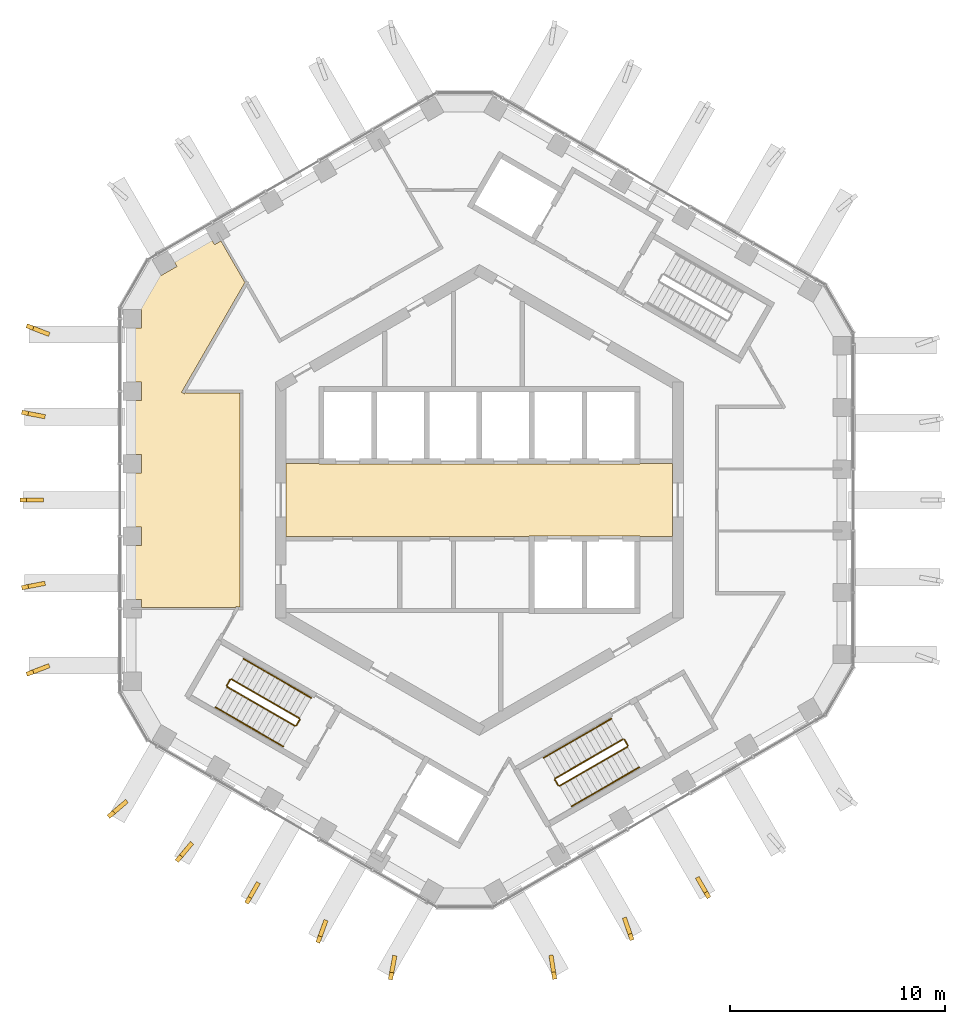
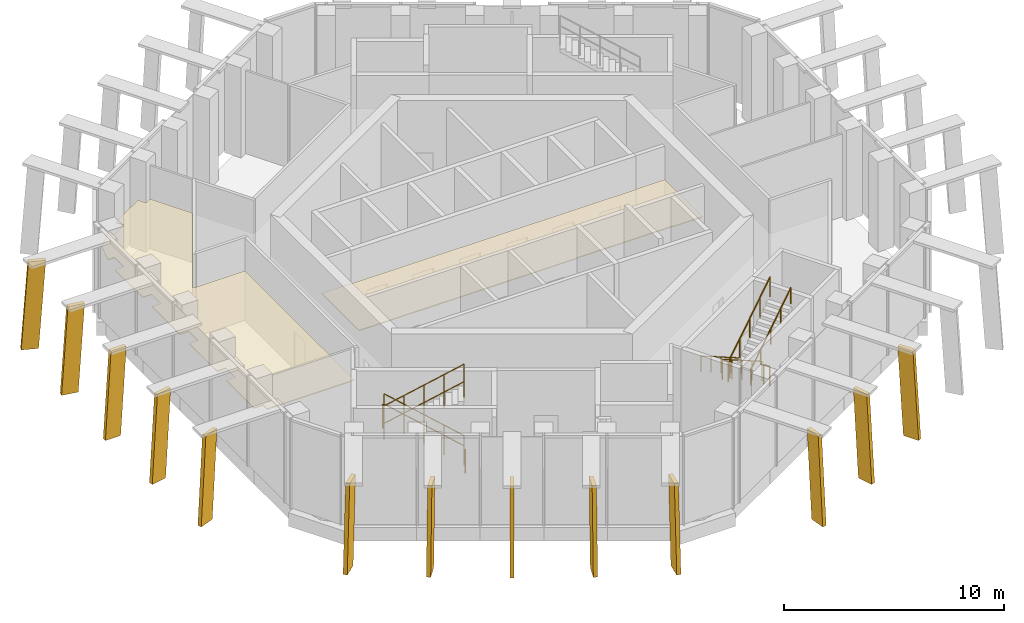
# One storey, part 15 of 17: 16 railings, 13 shading devices, 2 coverings.
"""IFC4 building model written with IfcOpenShell, lengths in metres."""

import ifcopenshell
import ifcopenshell.guid

model = None  # the IFC model being written
_history = None  # IfcOwnerHistory: only IFC2X3 demands one
_inside = {}  # id of a spatial element -> (the spatial element, [elements in it])
_under = {}  # id of a project, library or spatial element -> (it, [spatial elements below it])
_declared = {}  # id of a project -> (the project, [libraries it declares])
_typed = {}  # id of a type object -> (the type object, [elements of that type])
_made_of = {}  # id of a material, layer set ... -> (it, [elements and type objects made of it])


def new_model(schema):
    """Start an empty IFC model of exactly this schema.

    Asked for "IFC4X3", IfcOpenShell would pick the latest addendum, in which some entities
    have other attributes; the version numbers below select the first issue.
    IFC2X3 requires an IfcOwnerHistory on every rooted entity: one is made here for all.
    """
    global model, _history
    if schema == "IFC4X3":
        model = ifcopenshell.file(schema_version=(4, 3, 0, 0))
    else:
        model = ifcopenshell.file(schema=schema)
    _inside.clear()
    _under.clear()
    _declared.clear()
    _typed.clear()
    _made_of.clear()
    _history = None
    if model.schema == "IFC2X3":
        org = make("IfcOrganization", Name="unknown")
        user = make(
            "IfcPersonAndOrganization",
            ThePerson=make("IfcPerson", FamilyName="unknown"),
            TheOrganization=org,
        )
        app = make(
            "IfcApplication",
            ApplicationDeveloper=org,
            Version="unknown",
            ApplicationFullName="unknown",
            ApplicationIdentifier="unknown",
        )
        _history = make(
            "IfcOwnerHistory",
            OwningUser=user,
            OwningApplication=app,
            ChangeAction="ADDED",
            CreationDate=0,
        )
    return model


def make(cls, **values):
    """One entity of the class cls with the attributes given. An attribute that is None is left unset."""
    return model.create_entity(
        cls, **{name: value for name, value in values.items() if value is not None}
    )


def rooted(cls, **values):
    """An entity with a GlobalId (a new one), such as an element, a storey or a relation."""
    return make(cls, GlobalId=ifcopenshell.guid.new(), OwnerHistory=_history, **values)


def si_unit(unit_type, name, prefix=None):
    """IfcSIUnit, for example si_unit("LENGTHUNIT", "METRE", prefix="MILLI")."""
    return make("IfcSIUnit", UnitType=unit_type, Prefix=prefix, Name=name)


def assignment(units):
    """IfcUnitAssignment: the units of a project."""
    return None if units is None else make("IfcUnitAssignment", Units=units)


def point(xyz):
    """IfcCartesianPoint."""
    return None if xyz is None else make("IfcCartesianPoint", Coordinates=xyz)


def direction(xyz):
    """IfcDirection."""
    return None if xyz is None else make("IfcDirection", DirectionRatios=xyz)


def frame(location, z_axis=None, x_axis=None):
    """IfcAxis2Placement3D, a coordinate frame: its origin and axes. An axis left out is left unset."""
    return make(
        "IfcAxis2Placement3D",
        Location=point(location),
        Axis=direction(z_axis),
        RefDirection=direction(x_axis),
    )


def frame_2d(location, x_axis=None):
    """IfcAxis2Placement2D, a coordinate frame in the plane: its origin and x axis."""
    return make(
        "IfcAxis2Placement2D", Location=point(location), RefDirection=direction(x_axis)
    )


def origin():
    """The frame at (0, 0, 0) with its axes left unset."""
    return frame((0.0, 0.0, 0.0))


def origin_2d():
    """The frame at (0, 0) in the plane with its x axis left unset."""
    return frame_2d((0.0, 0.0))


def place(relative_to, where):
    """IfcLocalPlacement: puts the frame where relative to a parent placement (None: the world)."""
    return make(
        "IfcLocalPlacement", PlacementRelTo=relative_to, RelativePlacement=where
    )


def context(
    kind, dimensions, precision=None, world=None, true_north=None, identifier=None
):
    """IfcGeometricRepresentationContext, for example the 3D "Model" context."""
    return make(
        "IfcGeometricRepresentationContext",
        ContextIdentifier=identifier,
        ContextType=kind,
        CoordinateSpaceDimension=dimensions,
        Precision=precision,
        WorldCoordinateSystem=world,
        TrueNorth=true_north,
    )


def subcontext(parent, identifier, kind, view, scale=None):
    """IfcGeometricRepresentationSubContext, for example "Body" below "Model"."""
    return make(
        "IfcGeometricRepresentationSubContext",
        ContextIdentifier=identifier,
        ContextType=kind,
        ParentContext=parent,
        TargetScale=scale,
        TargetView=view,
    )


def project(units=None, contexts=None):
    """IfcProject with its units and contexts."""
    return rooted(
        "IfcProject",
        Name="project",
        RepresentationContexts=contexts,
        UnitsInContext=assignment(units),
    )


def spatial(cls, under=None, at=None, **own):
    """A site, building, storey or space (cls), placed at a placement, below another one or the project."""
    s = rooted(cls, ObjectPlacement=at, **own)
    if under is not None:
        _under.setdefault(under.id(), (under, []))[1].append(s)
    return s


def polyline(points):
    """IfcPolyline through the points."""
    return make("IfcPolyline", Points=[point(p) for p in points])


def profile(cls, at=None, kind="AREA", **sizes):
    """A parametric profile (cls). Its sizes go by their IFC names, for example OverallWidth=200.0."""
    return make(cls, ProfileType=kind, Position=at, **sizes)


def circle(**sizes):
    """IfcCircleProfileDef."""
    return profile("IfcCircleProfileDef", **sizes)


def outline(outer, holes=None, kind="AREA"):
    """IfcArbitraryClosedProfileDef: a profile drawn as a closed curve; with holes, ...WithVoids."""
    if holes is None:
        return make("IfcArbitraryClosedProfileDef", ProfileType=kind, OuterCurve=outer)
    return make(
        "IfcArbitraryProfileDefWithVoids",
        ProfileType=kind,
        OuterCurve=outer,
        InnerCurves=holes,
    )


def extrude(swept, where, along, depth):
    """IfcExtrudedAreaSolid: the profile swept, set in the frame where, extruded along a direction by depth."""
    return make(
        "IfcExtrudedAreaSolid",
        SweptArea=swept,
        Position=where,
        ExtrudedDirection=direction(along),
        Depth=depth,
    )


def shape(context_of_items, identifier, shape_type, items):
    """IfcShapeRepresentation: the items that make up one representation, for example the "Body"."""
    return make(
        "IfcShapeRepresentation",
        ContextOfItems=context_of_items,
        RepresentationIdentifier=identifier,
        RepresentationType=shape_type,
        Items=items,
    )


def material(Name=None, Category=None):
    """IfcMaterial."""
    return make("IfcMaterial", Name=Name, Category=Category)


def layer(
    of_material, thickness, ventilated=None, Name=None, Category=None, Priority=None
):
    """IfcMaterialLayer: one layer of a wall or slab, of a material (None: an air gap)."""
    return make(
        "IfcMaterialLayer",
        Material=of_material,
        LayerThickness=thickness,
        IsVentilated=ventilated,
        Name=Name,
        Category=Category,
        Priority=Priority,
    )


def layer_set(layers, Name=None):
    """IfcMaterialLayerSet."""
    return make("IfcMaterialLayerSet", MaterialLayers=layers, LayerSetName=Name)


def made_of(thing, what):
    """Note that an element or type object is made of a material, layer set ...; save() writes the relation."""
    if what is not None:
        _made_of.setdefault(what.id(), (what, []))[1].append(thing)
    return thing


def type_object(cls, material=None, **own):
    """A type object (cls), such as IfcWallType, which elements share."""
    return made_of(rooted(cls, **own), material)


def element(
    cls,
    number,
    at=None,
    inside=None,
    cuts=None,
    type_object=None,
    material=None,
    context=None,
    identifier="Body",
    shape_type=None,
    held_by="IfcProductDefinitionShape",
    body=None,
    shapes=None,
    **own,
):
    """One element of the class cls, such as IfcWall. Its Tag is "e" and its number.

    at: its placement. inside: the storey or other place that contains it. cuts: it is an
    opening in that element (IfcRelVoidsElement). A single representation is given by context,
    identifier, shape_type and body (its items); several are given by shapes. held_by: the class
    of the entity that holds the representations. save() writes the other relations.
    """
    e = rooted(cls, Tag="e%d" % number, ObjectPlacement=at, **own)
    if body is not None:
        shapes = [shape(context, identifier, shape_type, body)]
    if shapes is not None:
        e.Representation = make(held_by, Representations=shapes)
    if inside is not None:
        _inside.setdefault(inside.id(), (inside, []))[1].append(e)
    if cuts is not None:
        rooted(
            "IfcRelVoidsElement", RelatingBuildingElement=cuts, RelatedOpeningElement=e
        )
    if type_object is not None:
        _typed.setdefault(type_object.id(), (type_object, []))[1].append(e)
    return made_of(e, material)


def aggregate(whole, parts):
    """IfcRelAggregates: a whole, such as a stair, and the parts it consists of."""
    return rooted("IfcRelAggregates", RelatingObject=whole, RelatedObjects=parts)


def save(model, path):
    """Write the relations noted so far, then the file.

    IfcRelAggregates (storeys below a building ...), IfcRelContainedInSpatialStructure (elements
    in a storey), IfcRelDefinesByType, IfcRelAssociatesMaterial and IfcRelDeclares: one each for
    every whole, place, type object, material and project.
    """
    for whole, parts in _under.values():
        aggregate(whole, parts)
    for where, things in _inside.values():
        rooted(
            "IfcRelContainedInSpatialStructure",
            RelatedElements=things,
            RelatingStructure=where,
        )
    for kind, things in _typed.values():
        rooted("IfcRelDefinesByType", RelatedObjects=things, RelatingType=kind)
    for what, things in _made_of.values():
        rooted("IfcRelAssociatesMaterial", RelatedObjects=things, RelatingMaterial=what)
    for by, libraries in _declared.values():
        rooted("IfcRelDeclares", RelatingContext=by, RelatedDefinitions=libraries)
    model.write(path)


model = new_model("IFC4")

# Units and contexts
model_context = context("Model", 3, precision=1e-05, world=origin(), true_north=direction((0.0, 1.0)))
body_context = subcontext(model_context, "Body", "Model", "MODEL_VIEW")
ifc_project = project(units=[si_unit("LENGTHUNIT", "METRE"), si_unit("AREAUNIT", "SQUARE_METRE"), si_unit("VOLUMEUNIT", "CUBIC_METRE"), si_unit("PLANEANGLEUNIT", "RADIAN"), si_unit("MASSUNIT", "GRAM", prefix="KILO")], contexts=[model_context])

# Site, building, storey
site_placement = place(None, origin())
site = spatial("IfcSite", under=ifc_project, at=site_placement, CompositionType="ELEMENT")
building_placement = place(site_placement, origin())
building = spatial("IfcBuilding", under=site, at=building_placement, Name="Ayvan Gate Tower", CompositionType="ELEMENT")
storey_placement = place(building_placement, frame((0.0, 0.0, 257.89990234375)))
storey = spatial("IfcBuildingStorey", under=building, at=storey_placement, Name="L69", CompositionType="ELEMENT", Elevation=257.89990234375)

# Coverings
ifc_material_1 = material(Name="Plasterboard suspended ceiling")
ifc_layer_1 = layer(ifc_material_1, 0.050048828125)
ifc_layer_set_1 = layer_set([ifc_layer_1], Name="Plasterboard suspended ceiling")
covering_type = type_object("IfcCoveringType", Name="CT-SUSP-50", PredefinedType="CEILING", material=ifc_layer_set_1)
covering_1_placement = place(storey_placement, frame((0.0, 0.0, 2.7001953125)))
element("IfcCovering", 1, at=covering_1_placement, inside=storey, type_object=covering_type, Name="Ceiling Lift Lobby L69", PredefinedType="CEILING", context=body_context, shape_type="SweptSolid", body=[
    extrude(outline(polyline([(7.47509765625, -1.675048828125), (2.324951171875, -1.675048828125), (2.324951171875, -1.699951171875), (-9.0, -1.699951171875), (-9.0, 1.699951171875), (-7.47509765625, 1.699951171875), (-7.47509765625, 1.675048828125), (7.47509765625, 1.675048828125), (7.47509765625, 1.699951171875), (9.0, 1.699951171875), (9.0, -1.699951171875), (7.47509765625, -1.699951171875), (7.47509765625, -1.675048828125)])), origin(), (0.0, 0.0, 1.0), 0.0498046875),
])
covering_2_placement = place(storey_placement, frame((0.0, 0.0, 2.7001953125)))
element("IfcCovering", 2, at=covering_2_placement, inside=storey, type_object=covering_type, Name="Ceiling Observation Deck West L69", PredefinedType="CEILING", context=body_context, shape_type="SweptSolid", body=[
    extrude(outline(polyline([(-11.14501953125, 4.9716796875), (-11.14501953125, -4.9716796875), (-11.20654296875, -4.9716796875), (-11.20654296875, -5.002685546875), (-11.31005859375, -4.944580078125), (-11.339599609375, -4.99658203125), (-15.738037109375, -4.99658203125), (-15.738037109375, -4.63671875), (-16.206787109375, -4.63671875), (-16.206787109375, -2.1123046875), (-15.738037109375, -2.1123046875), (-15.738037109375, -1.26220703125), (-16.206787109375, -1.26220703125), (-16.206787109375, 1.26220703125), (-15.738037109375, 1.26220703125), (-15.738037109375, 2.1123046875), (-16.206787109375, 2.1123046875), (-16.206787109375, 4.63671875), (-15.738037109375, 4.63671875), (-15.738037109375, 5.48681640625), (-16.206787109375, 5.48681640625), (-16.206787109375, 8.01123046875), (-15.738037109375, 8.01123046875), (-15.738037109375, 8.861083984375), (-16.086181640625, 8.861083984375), (-15.8046875, 9.910888671875), (-14.98095703125, 10.73486328125), (-14.818603515625, 10.45361328125), (-14.08251953125, 10.878662109375), (-14.294921875, 11.24658203125), (-12.54345703125, 12.258056640625), (-12.330810546875, 11.889892578125), (-12.0322265625, 12.0625), (-10.916015625, 10.128662109375), (-13.865966796875, 5.01904296875), (-13.736083984375, 4.944091796875), (-13.6884765625, 5.026611328125), (-13.6884765625, 4.9716796875), (-11.14501953125, 4.9716796875)])), origin(), (0.0, 0.0, 1.0), 0.0498046875),
])

# Shading devices
ifc_material_2 = material(Name="Bronze anodised aluminium", Category="aluminium")
ifc_layer_2 = layer(ifc_material_2, 0.199951171875)
ifc_layer_set_2 = layer_set([ifc_layer_2], Name="Bronze anodised aluminium")
shading_device_type = type_object("IfcShadingDeviceType", Name="Crown frame rib 800 x 200", PredefinedType="USERDEFINED", material=ifc_layer_set_2)
shading_device_1_placement = place(storey_placement, frame((-20.29736328125, 7.92333984375, 0.0), z_axis=(0.359336899514, 0.933207846042, 0.000329747563), x_axis=(-0.933207896783, 0.359336919036, 4.6956e-08)))
element("IfcShadingDevice", 3, at=shading_device_1_placement, inside=storey, type_object=shading_device_type, Name="CROWN FRAME rib FR07.4.1", ObjectType="FIN", PredefinedType="USERDEFINED", context=body_context, shape_type="SweptSolid", body=[
    extrude(outline(polyline([(0.0, 0.0), (0.7999729741374682, 0.0), (0.46819741200487897, 4.8500978979491025), (-0.3318632908725881, 4.850097973080914), (0.0, 0.0)])), origin(), (0.0, 0.0, -1.0), 0.199951171875),
])
shading_device_2_placement = place(storey_placement, frame((-20.502685546875, 4.03369140625, 0.0), z_axis=(0.188451196958, 0.982082513055, 0.000289683733), x_axis=(-0.982082554264, 0.188451204853, 4.3413e-08)))
element("IfcShadingDevice", 4, at=shading_device_2_placement, inside=storey, type_object=shading_device_type, Name="CROWN FRAME rib FR07.4.2", ObjectType="FIN", PredefinedType="USERDEFINED", context=body_context, shape_type="SweptSolid", body=[
    extrude(outline(polyline([(0.0, 0.0), (0.7999550910682227, 0.0), (0.4944342769643586, 4.850097838287312), (-0.3055668226987989, 4.850097907745692), (0.0, 0.0)])), origin(), (0.0, 0.0, -1.0), 0.199951171875),
])
shading_device_3_placement = place(storey_placement, frame((-20.590576171875, 0.099853515625, 0.0), z_axis=(0.0, 0.999999954391, 0.000302023544), x_axis=(-1.0, 0.0, 0.0)))
element("IfcShadingDevice", 5, at=shading_device_3_placement, inside=storey, type_object=shading_device_type, Name="CROWN FRAME rib FR07.4.3", ObjectType="FIN", PredefinedType="USERDEFINED", context=body_context, shape_type="SweptSolid", body=[
    extrude(outline(polyline([(0.0, 0.0), (0.7998046875, 0.0), (0.503173828125, 4.850097877458656), (-0.296875, 4.850097877458656), (0.0, 0.0)])), origin(), (0.0, 0.0, -1.0), 0.199951171875),
])
shading_device_4_placement = place(storey_placement, frame((-20.54052734375, -3.837646484375, 0.0), z_axis=(-0.188304017231, 0.982110741408, 0.000297834224), x_axis=(-0.982110784967, -0.188304025583, 0.0)))
element("IfcShadingDevice", 6, at=shading_device_4_placement, inside=storey, type_object=shading_device_type, Name="CROWN FRAME rib FR07.4.4", ObjectType="FIN", PredefinedType="USERDEFINED", context=body_context, shape_type="SweptSolid", body=[
    extrude(outline(polyline([(0.0, 0.0), (0.7999551000512035, 0.0), (0.49422065127704995, 4.850097871364516), (-0.30573444877415357, 4.850097871364516), (0.0, 0.0)])), origin(), (0.0, 0.0, -1.0), 0.199951171875),
])
shading_device_5_placement = place(storey_placement, frame((-20.369384765625, -7.73681640625, 0.0), z_axis=(-0.359204010412, 0.933259017706, 0.000291160358), x_axis=(-0.933259057264, -0.359204025638, 0.0)))
element("IfcShadingDevice", 7, at=shading_device_5_placement, inside=storey, type_object=shading_device_type, Name="CROWN FRAME rib FR07.4.5", ObjectType="FIN", PredefinedType="USERDEFINED", context=body_context, shape_type="SweptSolid", body=[
    extrude(outline(polyline([(0.0, 0.0), (0.7999729822484152, 0.0), (0.4680228342587148, 4.850097861831962), (-0.33195014798970035, 4.850097861831962), (0.0, 0.0)])), origin(), (0.0, 0.0, -1.0), 0.199951171875),
])
shading_device_6_placement = place(storey_placement, frame((-16.729248046875, -14.158935546875, 0.0), z_axis=(-0.64954646727, 0.760321833782, 0.000309728586), x_axis=(-0.760321870238, -0.649546498442, 6.6631e-08)))
element("IfcShadingDevice", 8, at=shading_device_6_placement, inside=storey, type_object=shading_device_type, Name="CROWN FRAME rib FR07.5.1", ObjectType="FIN", PredefinedType="USERDEFINED", context=body_context, shape_type="SweptSolid", body=[
    extrude(outline(polyline([(0.0, 0.0), (0.8000112973498763, 0.0), (0.46431228482286857, 4.850097857951908), (-0.3357260572955125, 4.850097964564192), (0.0, 0.0)])), origin(), (0.0, 0.0, -1.0), 0.199951171875),
])
shading_device_7_placement = place(storey_placement, frame((-13.6533203125, -16.141357421875, 0.0), z_axis=(-0.766542780006, 0.642193184922, 0.000282242143), x_axis=(-0.642193210507, -0.766542810532, -3.3007e-08)))
element("IfcShadingDevice", 9, at=shading_device_7_placement, inside=storey, type_object=shading_device_type, Name="CROWN FRAME rib FR07.5.2", ObjectType="FIN", PredefinedType="USERDEFINED", context=body_context, shape_type="SweptSolid", body=[
    extrude(outline(polyline([(0.0, 0.0), (0.8001397090269278, 0.0), (0.4871069830692677, 4.850097865508734), (-0.31287594050587597, 4.8500978126939165), (0.0, 0.0)])), origin(), (0.0, 0.0, -1.0), 0.199951171875),
])
shading_device_8_placement = place(storey_placement, frame((-10.52685546875, -18.033203125, 0.0), z_axis=(-0.865989861741, 0.500061458489, 0.000311600895), x_axis=(-0.500061482771, -0.86598990378, -1.7396e-08)))
element("IfcShadingDevice", 10, at=shading_device_8_placement, inside=storey, type_object=shading_device_type, Name="CROWN FRAME rib FR07.5.3", ObjectType="FIN", PredefinedType="USERDEFINED", context=body_context, shape_type="SweptSolid", body=[
    extrude(outline(polyline([(0.0, 0.0), (0.8001172161106611, 1.3552527156068805e-20), (0.4947441113007737, 4.850097900317026), (-0.3050395961705927, 4.850097872485029), (0.0, 0.0)])), origin(), (0.0, 0.0, -1.0), 0.199951171875),
])
shading_device_9_placement = place(storey_placement, frame((-7.33984375, -19.826416015625, 0.0), z_axis=(-0.939427485229, 0.342747584767, 0.000305176384), x_axis=(-0.342747600727, -0.939427528975, 0.0)))
element("IfcShadingDevice", 11, at=shading_device_9_placement, inside=storey, type_object=shading_device_type, Name="CROWN FRAME rib FR07.5.4", ObjectType="FIN", PredefinedType="USERDEFINED", context=body_context, shape_type="SweptSolid", body=[
    extrude(outline(polyline([(0.0, 0.0), (0.7999178441897365, 0.0), (0.48699924747309936, 4.850097882101179), (-0.31291859671663724, 4.850097882101179), (0.0, 0.0)])), origin(), (0.0, 0.0, -1.0), 0.199951171875),
])
shading_device_10_placement = place(storey_placement, frame((-4.093994140625, -21.531005859375, 0.0), z_axis=(-0.983236399716, 0.182335117576, 0.000295247794), x_axis=(-0.182335125536, -0.983236442569, -4.4293e-08)))
element("IfcShadingDevice", 12, at=shading_device_10_placement, inside=storey, type_object=shading_device_type, Name="CROWN FRAME rib FR07.5.5", ObjectType="FIN", PredefinedType="USERDEFINED", context=body_context, shape_type="SweptSolid", body=[
    extrude(outline(polyline([(0.0, 0.0), (0.8000547419501685, 6.776263578034403e-21), (0.4643092729321124, 4.850097888210227), (-0.3357009536065482, 4.850097817338568), (0.0, 0.0)])), origin(), (0.0, 0.0, -1.0), 0.199951171875),
])
shading_device_11_placement = place(storey_placement, frame((3.287109375, -21.539794921875, 0.0), z_axis=(-0.987838273024, -0.155484584524, 0.000300539439), x_axis=(0.155484591533, -0.987838317639, -4.5301e-08)))
element("IfcShadingDevice", 13, at=shading_device_11_placement, inside=storey, type_object=shading_device_type, Name="CROWN FRAME rib FR07.6.1", ObjectType="FIN", PredefinedType="USERDEFINED", context=body_context, shape_type="SweptSolid", body=[
    extrude(outline(polyline([(0.0, 0.0), (0.7999937234589066, 0.0), (0.4680772341700992, 4.850097896494534), (-0.33195444939416213, 4.850097824011278), (0.0, 0.0)])), origin(), (0.0, 0.0, -1.0), 0.199951171875),
])
shading_device_12_placement = place(storey_placement, frame((6.758056640625, -19.772705078125, 0.0), z_axis=(-0.944673619686, -0.328011673502, 0.000307108483), x_axis=(0.32801168897, -0.944673664235, 0.0)))
element("IfcShadingDevice", 14, at=shading_device_12_placement, inside=storey, type_object=shading_device_type, Name="CROWN FRAME rib FR07.6.2", ObjectType="FIN", PredefinedType="USERDEFINED", context=body_context, shape_type="SweptSolid", body=[
    extrude(outline(polyline([(0.0, 0.0), (0.8001274975864481, 0.0), (0.49439433690499335, 4.850097884970001), (-0.30573316068145473, 4.850097884970001), (0.0, 0.0)])), origin(), (0.0, 0.0, -1.0), 0.199951171875),
])
shading_device_13_placement = place(storey_placement, frame((10.208740234375, -17.8818359375, 0.0), z_axis=(-0.866094073712, -0.499880934722, 0.000326469077), x_axis=(0.499880961361, -0.866094119867, 0.0)))
element("IfcShadingDevice", 15, at=shading_device_13_placement, inside=storey, type_object=shading_device_type, Name="CROWN FRAME rib FR07.6.3", ObjectType="FIN", PredefinedType="USERDEFINED", context=body_context, shape_type="SweptSolid", body=[
    extrude(outline(polyline([(0.0, 0.0), (0.7999951481672026, 0.0), (0.5032364251888714, 4.8500979147167165), (-0.2967587229783313, 4.8500979147167165), (0.0, 0.0)])), origin(), (0.0, 0.0, -1.0), 0.199951171875),
])

# Railings
ifc_material_3 = material(Name="Stainless steel balustrade", Category="steel")
railing_type_1 = type_object("IfcRailingType", Name="RL-GUARD-1100", PredefinedType="GUARDRAIL", material=ifc_material_3)
railing_1_placement = place(storey_placement, frame((-8.381103515625, -10.16650390625, 0.1787109375)))
element("IfcRailing", 16, at=railing_1_placement, inside=storey, type_object=railing_type_1, Name="L69 STS2 stair guard 1", PredefinedType="GUARDRAIL", context=body_context, shape_type="SweptSolid", body=[
    extrude(circle(Radius=0.02392578125, at=origin_2d()), frame((0.0, 0.0, 1.076171875), z_axis=(-0.730180763182, 0.421584385806, 0.537682674747), x_axis=(-0.500012742938, -0.866018046521, 0.0)), (0.0, 0.0, 1.0), 4.317138671875),
    extrude(circle(Radius=0.02099609375, at=origin_2d()), origin(), (0.0, 0.0, 1.0), 1.052001953125),
    extrude(circle(Radius=0.02099609375, at=origin_2d()), frame((-0.7880859375, 0.455078125, 0.580322265625)), (0.0, 0.0, 1.0), 1.052001953125),
    extrude(circle(Radius=0.02099609375, at=origin_2d()), frame((-1.576171875, 0.91015625, 1.16064453125)), (0.0, 0.0, 1.0), 1.052001953125),
    extrude(circle(Radius=0.02099609375, at=origin_2d()), frame((-2.3642578125, 1.364990234375, 1.740966796875)), (0.0, 0.0, 1.0), 1.052001953125),
    extrude(circle(Radius=0.02099609375, at=origin_2d()), frame((-3.15234375, 1.820068359375, 2.3212890625)), (0.0, 0.0, 1.0), 1.052001953125),
])
railing_2_placement = place(storey_placement, frame((-11.601806640625, -8.36474609375, 2.5)))
element("IfcRailing", 17, at=railing_2_placement, inside=storey, type_object=railing_type_1, Name="L69 STS2 stair guard 2", PredefinedType="GUARDRAIL", context=body_context, shape_type="SweptSolid", body=[
    extrude(circle(Radius=0.02392578125, at=origin_2d()), frame((0.0, 0.0, 1.076171875), z_axis=(-0.499949632511, -0.866054481515, 0.0), x_axis=(0.866054481515, -0.499949632511, 0.0)), (0.0, 0.0, 1.0), 0.31005859375),
    extrude(circle(Radius=0.02099609375, at=origin_2d()), origin(), (0.0, 0.0, 1.0), 1.052001953125),
    extrude(circle(Radius=0.02099609375, at=origin_2d()), frame((-0.155029296875, -0.2685546875, 0.0)), (0.0, 0.0, 1.0), 1.052001953125),
])
railing_3_placement = place(storey_placement, frame((-11.738525390625, -8.70166015625, 2.6787109375)))
element("IfcRailing", 18, at=railing_3_placement, inside=storey, type_object=railing_type_1, Name="L69 STS2 stair guard 3", PredefinedType="GUARDRAIL", context=body_context, shape_type="SweptSolid", body=[
    extrude(circle(Radius=0.02392578125, at=origin_2d()), frame((0.0, 0.0, 1.076171875), z_axis=(0.730198170753, -0.42153788451, 0.537695493148), x_axis=(0.499962438169, 0.866047089031, 0.0)), (0.0, 0.0, 1.0), 4.317138671875),
    extrude(circle(Radius=0.02099609375, at=origin_2d()), origin(), (0.0, 0.0, 1.0), 1.052001953125),
    extrude(circle(Radius=0.02099609375, at=origin_2d()), frame((0.7880859375, -0.455078125, 0.580322265625)), (0.0, 0.0, 1.0), 1.052001953125),
    extrude(circle(Radius=0.02099609375, at=origin_2d()), frame((1.576171875, -0.909912109375, 1.16064453125)), (0.0, 0.0, 1.0), 1.052001953125),
    extrude(circle(Radius=0.02099609375, at=origin_2d()), frame((2.3642578125, -1.36474609375, 1.740966796875)), (0.0, 0.0, 1.0), 1.052001953125),
    extrude(circle(Radius=0.02099609375, at=origin_2d()), frame((3.15234375, -1.81982421875, 2.3212890625)), (0.0, 0.0, 1.0), 1.052001953125),
])
railing_4_placement = place(storey_placement, frame((-8.36279296875, -10.23486328125, 0.0)))
element("IfcRailing", 19, at=railing_4_placement, inside=storey, type_object=railing_type_1, Name="L69 STS2 stair guard 4", PredefinedType="GUARDRAIL", context=body_context, shape_type="SweptSolid", body=[
    extrude(circle(Radius=0.02392578125, at=origin_2d()), frame((0.0, 0.0, 1.076171875), z_axis=(-0.500290723946, -0.86585748916, 0.0), x_axis=(0.86585748916, -0.500290723946, 0.0)), (0.0, 0.0, 1.0), 0.309814453125),
    extrude(circle(Radius=0.02099609375, at=origin_2d()), origin(), (0.0, 0.0, 1.0), 1.052001953125),
    extrude(circle(Radius=0.02099609375, at=origin_2d()), frame((-0.155029296875, -0.268310546875, 0.0)), (0.0, 0.0, 1.0), 1.052001953125),
])
railing_5_placement = place(storey_placement, frame((6.6923828125, -11.1416015625, 0.1787109375)))
element("IfcRailing", 20, at=railing_5_placement, inside=storey, type_object=railing_type_1, Name="L69 STS3 stair guard 1", PredefinedType="GUARDRAIL", context=body_context, shape_type="SweptSolid", body=[
    extrude(circle(Radius=0.02392578125, at=origin_2d()), frame((0.0, 0.0, 1.076171875), z_axis=(-0.730198170753, -0.42153788451, 0.537695493148), x_axis=(0.499962438169, -0.866047089031, 0.0)), (0.0, 0.0, 1.0), 4.317138671875),
    extrude(circle(Radius=0.02099609375, at=origin_2d()), origin(), (0.0, 0.0, 1.0), 1.052001953125),
    extrude(circle(Radius=0.02099609375, at=origin_2d()), frame((-0.7880859375, -0.455078125, 0.580322265625)), (0.0, 0.0, 1.0), 1.052001953125),
    extrude(circle(Radius=0.02099609375, at=origin_2d()), frame((-1.576171875, -0.909912109375, 1.16064453125)), (0.0, 0.0, 1.0), 1.052001953125),
    extrude(circle(Radius=0.02099609375, at=origin_2d()), frame((-2.3642578125, -1.36474609375, 1.740966796875)), (0.0, 0.0, 1.0), 1.052001953125),
    extrude(circle(Radius=0.02099609375, at=origin_2d()), frame((-3.15234375, -1.81982421875, 2.3212890625)), (0.0, 0.0, 1.0), 1.052001953125),
])
railing_6_placement = place(storey_placement, frame((3.521728515625, -13.02978515625, 2.5)))
element("IfcRailing", 21, at=railing_6_placement, inside=storey, type_object=railing_type_1, Name="L69 STS3 stair guard 2", PredefinedType="GUARDRAIL", context=body_context, shape_type="SweptSolid", body=[
    extrude(circle(Radius=0.02392578125, at=origin_2d()), frame((0.0, 0.0, 1.076171875), z_axis=(0.499949632511, -0.866054481515, 0.0), x_axis=(0.866054481515, 0.499949632511, 0.0)), (0.0, 0.0, 1.0), 0.31005859375),
    extrude(circle(Radius=0.02099609375, at=origin_2d()), origin(), (0.0, 0.0, 1.0), 1.052001953125),
    extrude(circle(Radius=0.02099609375, at=origin_2d()), frame((0.155029296875, -0.2685546875, 0.0)), (0.0, 0.0, 1.0), 1.052001953125),
])
railing_7_placement = place(storey_placement, frame((3.7451171875, -13.316650390625, 2.6787109375)))
element("IfcRailing", 22, at=railing_7_placement, inside=storey, type_object=railing_type_1, Name="L69 STS3 stair guard 3", PredefinedType="GUARDRAIL", context=body_context, shape_type="SweptSolid", body=[
    extrude(circle(Radius=0.02392578125, at=origin_2d()), frame((0.0, 0.0, 1.076171875), z_axis=(0.730180763182, 0.421584385806, 0.537682674747), x_axis=(-0.500012742938, 0.866018046521, 0.0)), (0.0, 0.0, 1.0), 4.317138671875),
    extrude(circle(Radius=0.02099609375, at=origin_2d()), origin(), (0.0, 0.0, 1.0), 1.052001953125),
    extrude(circle(Radius=0.02099609375, at=origin_2d()), frame((0.7880859375, 0.455078125, 0.580322265625)), (0.0, 0.0, 1.0), 1.052001953125),
    extrude(circle(Radius=0.02099609375, at=origin_2d()), frame((1.576171875, 0.91015625, 1.16064453125)), (0.0, 0.0, 1.0), 1.052001953125),
    extrude(circle(Radius=0.02099609375, at=origin_2d()), frame((2.3642578125, 1.364990234375, 1.740966796875)), (0.0, 0.0, 1.0), 1.052001953125),
    extrude(circle(Radius=0.02099609375, at=origin_2d()), frame((3.15234375, 1.820068359375, 2.3212890625)), (0.0, 0.0, 1.0), 1.052001953125),
])
railing_8_placement = place(storey_placement, frame((6.7607421875, -11.159912109375, 0.0)))
element("IfcRailing", 23, at=railing_8_placement, inside=storey, type_object=railing_type_1, Name="L69 STS3 stair guard 4", PredefinedType="GUARDRAIL", context=body_context, shape_type="SweptSolid", body=[
    extrude(circle(Radius=0.02392578125, at=origin_2d()), frame((0.0, 0.0, 1.076171875), z_axis=(0.500290723946, -0.86585748916, 0.0), x_axis=(0.86585748916, 0.500290723946, 0.0)), (0.0, 0.0, 1.0), 0.309814453125),
    extrude(circle(Radius=0.02099609375, at=origin_2d()), origin(), (0.0, 0.0, 1.0), 1.052001953125),
    extrude(circle(Radius=0.02099609375, at=origin_2d()), frame((0.155029296875, -0.268310546875, 0.0)), (0.0, 0.0, 1.0), 1.052001953125),
])
railing_type_2 = type_object("IfcRailingType", Name="RL-HANDRAIL-900", PredefinedType="HANDRAIL", material=ifc_material_3)
railing_9_placement = place(storey_placement, frame((-7.8310546875, -9.2138671875, 0.1787109375)))
element("IfcRailing", 24, at=railing_9_placement, inside=storey, type_object=railing_type_2, Name="L69 STS2 stair handrail 1", PredefinedType="HANDRAIL", context=body_context, shape_type="SweptSolid", body=[
    extrude(circle(Radius=0.02392578125, at=origin_2d()), frame((0.0, 0.0, 0.8759765625), z_axis=(-0.730198170753, 0.42153788451, 0.537695493148), x_axis=(-0.499962438169, -0.866047089031, 0.0)), (0.0, 0.0, 1.0), 2.158447265625),
    extrude(circle(Radius=0.02099609375, at=origin_2d()), origin(), (0.0, 0.0, 1.0), 0.851806640625),
    extrude(circle(Radius=0.02099609375, at=origin_2d()), frame((-0.7880859375, 0.455078125, 0.580322265625)), (0.0, 0.0, 1.0), 0.851806640625),
    extrude(circle(Radius=0.02099609375, at=origin_2d()), frame((-1.576171875, 0.909912109375, 1.16064453125)), (0.0, 0.0, 1.0), 0.851806640625),
])
railing_10_placement = place(storey_placement, frame((-9.4072265625, -8.303955078125, 1.33935546875)))
element("IfcRailing", 25, at=railing_10_placement, inside=storey, type_object=railing_type_2, Name="L69 STS2 stair handrail 2", PredefinedType="HANDRAIL", context=body_context, shape_type="SweptSolid", body=[
    extrude(circle(Radius=0.02392578125, at=origin_2d()), frame((0.0, 0.0, 0.8759765625), z_axis=(-0.730163354521, 0.421630883776, 0.537669855544), x_axis=(-0.500063042646, -0.865989003036, 0.0)), (0.0, 0.0, 1.0), 2.15869140625),
    extrude(circle(Radius=0.02099609375, at=origin_2d()), origin(), (0.0, 0.0, 1.0), 0.851806640625),
    extrude(circle(Radius=0.02099609375, at=origin_2d()), frame((-0.7880859375, 0.455078125, 0.580322265625)), (0.0, 0.0, 1.0), 0.851806640625),
    extrude(circle(Radius=0.02099609375, at=origin_2d()), frame((-1.576171875, 0.91015625, 1.16064453125)), (0.0, 0.0, 1.0), 0.851806640625),
])
for number, where, name in (
    (26, (-12.288330078125, -9.654296875, 2.6787109375), "L69 STS2 stair handrail 3"),
    (27, (-10.712158203125, -10.564208984375, 3.83935546875), "L69 STS2 stair handrail 4"),
):
    element("IfcRailing", number, at=place(storey_placement, frame(where)), inside=storey, type_object=railing_type_2, Name=name, PredefinedType="HANDRAIL", context=body_context, shape_type="SweptSolid", body=[
        extrude(circle(Radius=0.02392578125, at=origin_2d()), frame((0.0, 0.0, 0.8759765625), z_axis=(0.730198170753, -0.42153788451, 0.537695493148), x_axis=(0.499962438169, 0.866047089031, 0.0)), (0.0, 0.0, 1.0), 2.158447265625),
        extrude(circle(Radius=0.02099609375, at=origin_2d()), origin(), (0.0, 0.0, 1.0), 0.851806640625),
        extrude(circle(Radius=0.02099609375, at=origin_2d()), frame((0.7880859375, -0.455078125, 0.580322265625)), (0.0, 0.0, 1.0), 0.851806640625),
        extrude(circle(Radius=0.02099609375, at=origin_2d()), frame((1.576171875, -0.909912109375, 1.16064453125)), (0.0, 0.0, 1.0), 0.851806640625),
    ])
for number, where, name in (
    (28, (6.142333984375, -10.18896484375, 0.1787109375), "L69 STS3 stair handrail 1"),
    (29, (4.566162109375, -11.098876953125, 1.33935546875), "L69 STS3 stair handrail 2"),
):
    element("IfcRailing", number, at=place(storey_placement, frame(where)), inside=storey, type_object=railing_type_2, Name=name, PredefinedType="HANDRAIL", context=body_context, shape_type="SweptSolid", body=[
        extrude(circle(Radius=0.02392578125, at=origin_2d()), frame((0.0, 0.0, 0.8759765625), z_axis=(-0.730198170753, -0.42153788451, 0.537695493148), x_axis=(0.499962438169, -0.866047089031, 0.0)), (0.0, 0.0, 1.0), 2.158447265625),
        extrude(circle(Radius=0.02099609375, at=origin_2d()), origin(), (0.0, 0.0, 1.0), 0.851806640625),
        extrude(circle(Radius=0.02099609375, at=origin_2d()), frame((-0.7880859375, -0.455078125, 0.580322265625)), (0.0, 0.0, 1.0), 0.851806640625),
        extrude(circle(Radius=0.02099609375, at=origin_2d()), frame((-1.576171875, -0.909912109375, 1.16064453125)), (0.0, 0.0, 1.0), 0.851806640625),
    ])
railing_11_placement = place(storey_placement, frame((4.294921875, -14.269287109375, 2.6787109375)))
element("IfcRailing", 30, at=railing_11_placement, inside=storey, type_object=railing_type_2, Name="L69 STS3 stair handrail 3", PredefinedType="HANDRAIL", context=body_context, shape_type="SweptSolid", body=[
    extrude(circle(Radius=0.02392578125, at=origin_2d()), frame((0.0, 0.0, 0.8759765625), z_axis=(0.730163354521, 0.421630883776, 0.537669855544), x_axis=(-0.500063042646, 0.865989003036, 0.0)), (0.0, 0.0, 1.0), 2.15869140625),
    extrude(circle(Radius=0.02099609375, at=origin_2d()), origin(), (0.0, 0.0, 1.0), 0.851806640625),
    extrude(circle(Radius=0.02099609375, at=origin_2d()), frame((0.7880859375, 0.455078125, 0.580322265625)), (0.0, 0.0, 1.0), 0.851806640625),
    extrude(circle(Radius=0.02099609375, at=origin_2d()), frame((1.576171875, 0.91015625, 1.16064453125)), (0.0, 0.0, 1.0), 0.851806640625),
])
railing_12_placement = place(storey_placement, frame((5.87109375, -13.359130859375, 3.83935546875)))
element("IfcRailing", 31, at=railing_12_placement, inside=storey, type_object=railing_type_2, Name="L69 STS3 stair handrail 4", PredefinedType="HANDRAIL", context=body_context, shape_type="SweptSolid", body=[
    extrude(circle(Radius=0.02392578125, at=origin_2d()), frame((0.0, 0.0, 0.8759765625), z_axis=(0.730198170753, 0.42153788451, 0.537695493148), x_axis=(-0.499962438169, 0.866047089031, 0.0)), (0.0, 0.0, 1.0), 2.158447265625),
    extrude(circle(Radius=0.02099609375, at=origin_2d()), origin(), (0.0, 0.0, 1.0), 0.851806640625),
    extrude(circle(Radius=0.02099609375, at=origin_2d()), frame((0.7880859375, 0.455078125, 0.580322265625)), (0.0, 0.0, 1.0), 0.851806640625),
    extrude(circle(Radius=0.02099609375, at=origin_2d()), frame((1.576171875, 0.909912109375, 1.16064453125)), (0.0, 0.0, 1.0), 0.851806640625),
])

save(model, "model.ifc")
